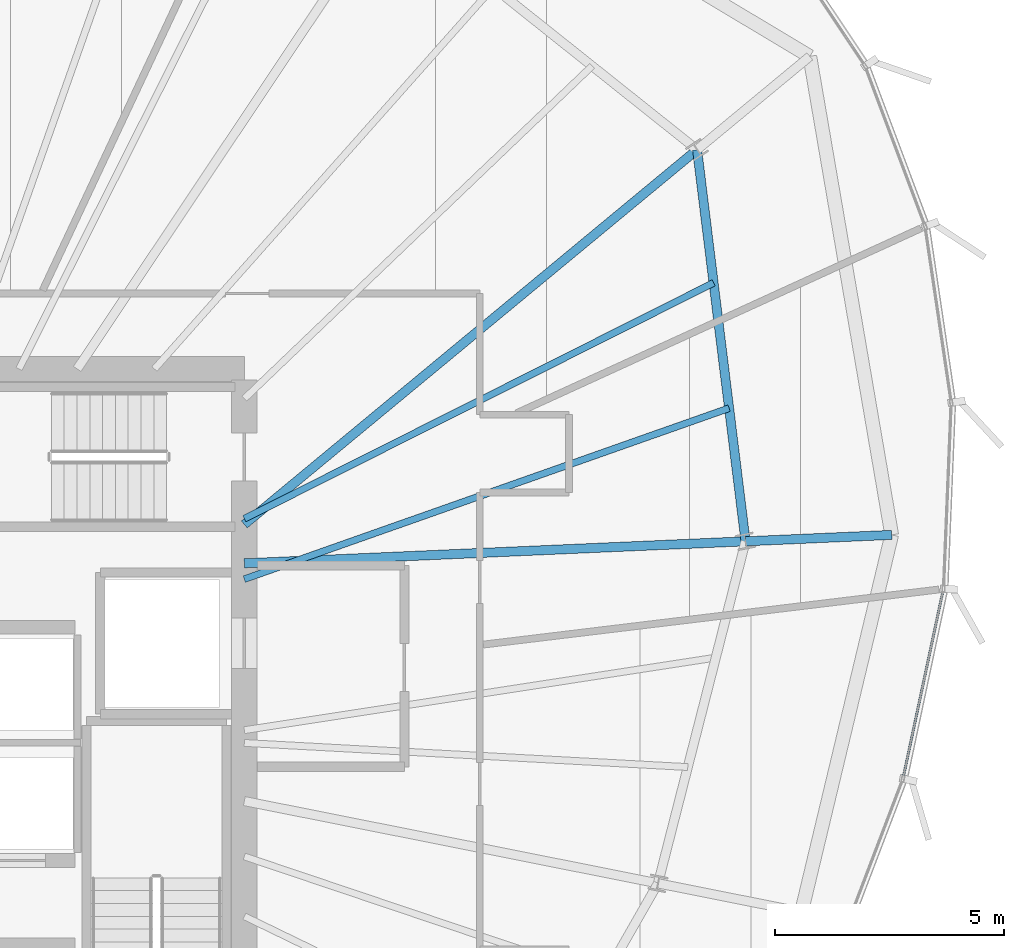
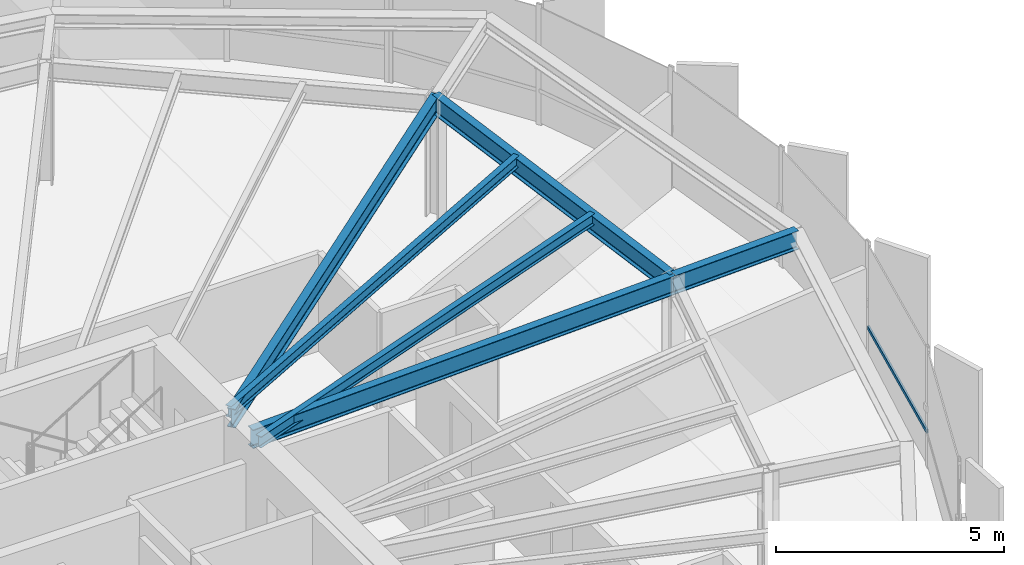
# One storey, part 19 of 36: 6 beams, 1 member, 1 element without a shape of its own.
"""IFC4 building model written with IfcOpenShell, lengths in metres."""

from ifc_helpers import new_model, si_unit, direction, frame, origin, origin_2d, place, context, subcontext, project, spatial, hollow_rectangle, i_section, extrude, source, transform, mapped, material, layer, layer_set, material_profile, profile_set, type_object, element, aggregate, save


model = new_model("IFC4")

# Units and contexts
model_context = context("Model", 3, precision=1e-05, world=origin(), true_north=direction((0.0, 1.0)))
body_context = subcontext(model_context, "Body", "Model", "MODEL_VIEW")
ifc_project = project(units=[si_unit("LENGTHUNIT", "METRE"), si_unit("AREAUNIT", "SQUARE_METRE"), si_unit("VOLUMEUNIT", "CUBIC_METRE"), si_unit("PLANEANGLEUNIT", "RADIAN"), si_unit("MASSUNIT", "GRAM", prefix="KILO"), si_unit("THERMODYNAMICTEMPERATUREUNIT", "KELVIN")], contexts=[model_context])

# Site, building, storey
site_placement = place(None, origin())
site = spatial("IfcSite", under=ifc_project, at=site_placement, CompositionType="ELEMENT")
building_placement = place(site_placement, origin())
building = spatial("IfcBuilding", under=site, at=building_placement, Name="Kethvar Cultural Tower", CompositionType="ELEMENT")
storey_placement = place(building_placement, frame((0.0, 0.0, 197.39990234375)))
storey = spatial("IfcBuildingStorey", under=building, at=storey_placement, Name="L51", CompositionType="ELEMENT", Elevation=197.39990234375)

# Beams
ifc_material_1 = material(Name="Steel S355J2", Category="steel")
ifc_material_profile_1 = material_profile(ifc_material_1, i_section(OverallWidth=0.199951171875, OverallDepth=0.5, WebThickness=0.01025390625, FlangeThickness=0.01611328125, FilletRadius=0.02099609375, at=origin_2d()), Name="Steel S355J2 — IPE500")
ifc_profile_set_1 = profile_set([ifc_material_profile_1], Name="Steel S355J2 — IPE500")
beam_type_1 = type_object("IfcBeamType", Name="BM-IPE500", PredefinedType="BEAM", material=ifc_profile_set_1)
shared_shape_1 = source(origin(), body_context, "Body", "SweptSolid", [
    extrude(i_section(OverallWidth=0.199951171875, OverallDepth=0.5, WebThickness=0.01025390625, FlangeThickness=0.01611328125, FilletRadius=0.02099609375, at=origin_2d()), origin(), (0.0, 0.0, 1.0), 10.974365234375),
])
beam_1_placement = place(storey_placement, frame((55.60009765625, 31.25, 3.008056640625), z_axis=(0.999038235064, 0.043847518511, 0.0), x_axis=(-0.043847518511, 0.999038235064, 0.0)))
element("IfcBeam", 1, at=beam_1_placement, inside=storey, type_object=beam_type_1, Name="L51 Primary Radial Beam RB-01", PredefinedType="BEAM", context=body_context, shape_type="MappedRepresentation", body=[
    mapped(shared_shape_1, transform((0.0, 0.0, 0.0), scale=1.0)),
])
shared_shape_2 = source(origin(), body_context, "Body", "SweptSolid", [
    extrude(i_section(OverallWidth=0.199951171875, OverallDepth=0.5, WebThickness=0.01025390625, FlangeThickness=0.01611328125, FilletRadius=0.02099609375, at=origin_2d()), origin(), (0.0, 0.0, 1.0), 3.2001953125),
])
beam_2_placement = place(storey_placement, frame((66.56396484375, 31.731201171875, 3.008056640625), z_axis=(0.999037352633, 0.043867619531, 0.0), x_axis=(-0.043867619531, 0.999037352633, 0.0)))
element("IfcBeam", 2, at=beam_2_placement, inside=storey, type_object=beam_type_1, Name="L51 Perimeter Cantilever Beam RC-01", PredefinedType="BEAM", context=body_context, shape_type="MappedRepresentation", body=[
    mapped(shared_shape_2, transform((0.0, 0.0, 0.0), scale=1.0)),
])
shared_shape_3 = source(origin(), body_context, "Body", "SweptSolid", [
    extrude(i_section(OverallWidth=0.199951171875, OverallDepth=0.5, WebThickness=0.01025390625, FlangeThickness=0.01611328125, FilletRadius=0.02099609375, at=origin_2d()), origin(), (0.0, 0.0, 1.0), 12.8564453125),
])
beam_3_placement = place(storey_placement, frame((55.60009765625, 32.10009765625, 3.008056640625), z_axis=(0.770354115625, 0.637616292561, 0.0), x_axis=(-0.637616292561, 0.770354115625, 0.0)))
element("IfcBeam", 3, at=beam_3_placement, inside=storey, type_object=beam_type_1, Name="L51 Primary Radial Beam RB-02", PredefinedType="BEAM", context=body_context, shape_type="MappedRepresentation", body=[
    mapped(shared_shape_3, transform((0.0, 0.0, 0.0), scale=1.0)),
])
shared_shape_4 = source(origin(), body_context, "Body", "SweptSolid", [
    extrude(i_section(OverallWidth=0.199951171875, OverallDepth=0.5, WebThickness=0.01025390625, FlangeThickness=0.01611328125, FilletRadius=0.02099609375, at=origin_2d()), origin(), (0.0, 0.0, 1.0), 8.6318359375),
])
beam_4_placement = place(storey_placement, frame((66.56396484375, 31.731201171875, 3.008056640625), z_axis=(-0.122781430908, 0.992433735936, 0.0), x_axis=(-0.992433735936, -0.122781430908, 0.0)))
element("IfcBeam", 4, at=beam_4_placement, inside=storey, type_object=beam_type_1, Name="L51 Column Ring Tie Beam CR-01", PredefinedType="BEAM", context=body_context, shape_type="MappedRepresentation", body=[
    mapped(shared_shape_4, transform((0.0, 0.0, 0.0), scale=1.0)),
])
ifc_material_profile_2 = material_profile(ifc_material_1, i_section(OverallWidth=0.14990234375, OverallDepth=0.300048828125, WebThickness=0.007080078125, FlangeThickness=0.0107421875, FilletRadius=0.014892578125, at=origin_2d()), Name="Steel S355J2 — IPE300")
ifc_profile_set_2 = profile_set([ifc_material_profile_2], Name="Steel S355J2 — IPE300")
beam_type_2 = type_object("IfcBeamType", Name="BM-J300", PredefinedType="JOIST", material=ifc_profile_set_2)
shared_shape_5 = source(origin(), body_context, "Body", "SweptSolid", [
    extrude(i_section(OverallWidth=0.14990234375, OverallDepth=0.300048828125, WebThickness=0.007080078125, FlangeThickness=0.0107421875, FilletRadius=0.014892578125, at=origin_2d()), origin(), (0.0, 0.0, 1.0), 11.24365234375),
])
beam_5_placement = place(storey_placement, frame((55.60009765625, 30.90380859375, 3.108154296875), z_axis=(0.943058059975, 0.332628164044, 0.0), x_axis=(-0.332628164044, 0.943058059975, 0.0)))
element("IfcBeam", 5, at=beam_5_placement, inside=storey, type_object=beam_type_2, Name="L51 Composite Floor Joist J-01A", PredefinedType="JOIST", context=body_context, shape_type="MappedRepresentation", body=[
    mapped(shared_shape_5, transform((0.0, 0.0, 0.0), scale=1.0)),
])
shared_shape_6 = source(origin(), body_context, "Body", "SweptSolid", [
    extrude(i_section(OverallWidth=0.14990234375, OverallDepth=0.300048828125, WebThickness=0.007080078125, FlangeThickness=0.0107421875, FilletRadius=0.014892578125, at=origin_2d()), origin(), (0.0, 0.0, 1.0), 11.48876953125),
])
beam_6_placement = place(storey_placement, frame((55.60009765625, 32.224365234375, 3.108154296875), z_axis=(0.893434724969, 0.449193045605, 0.0), x_axis=(-0.449193045605, 0.893434724969, 0.0)))
element("IfcBeam", 6, at=beam_6_placement, inside=storey, type_object=beam_type_2, Name="L51 Composite Floor Joist J-01B", PredefinedType="JOIST", context=body_context, shape_type="MappedRepresentation", body=[
    mapped(shared_shape_6, transform((0.0, 0.0, 0.0), scale=1.0)),
])

# Curtain wall, member
ifc_material_2 = material(Name="Aluminium 6063-T6", Category="aluminium")
ifc_layer = layer(ifc_material_2, 0.179931640625, Name="Aluminium 6063-T6", Category="aluminium")
ifc_layer_set = layer_set([ifc_layer], Name="Aluminium 6063-T6 (180 mm)")
curtain_wall_type = type_object("IfcCurtainWallType", Name="CW-SYS-04-Z34", PredefinedType="NOTDEFINED", material=ifc_layer_set)
curtain_wall_placement = place(storey_placement, origin())
curtain_wall = element("IfcCurtainWall", 7, at=curtain_wall_placement, inside=storey, type_object=curtain_wall_type, Name="L51 Curtain Wall Run 06", PredefinedType="NOTDEFINED")
ifc_material_profile_3 = material_profile(ifc_material_2, hollow_rectangle(XDim=0.050048828125, YDim=0.10009765625, WallThickness=0.00390625, at=origin_2d()), Name="Aluminium 6063-T6 — RHS100x50x4")
ifc_profile_set_3 = profile_set([ifc_material_profile_3], Name="Aluminium 6063-T6 — RHS100x50x4")
member_type = type_object("IfcMemberType", Name="CW-SYS-04-Z34-TRN", PredefinedType="USERDEFINED", material=ifc_profile_set_3)
shared_shape_7 = source(origin(), body_context, "Body", "SweptSolid", [
    extrude(hollow_rectangle(XDim=0.050048828125, YDim=0.10009765625, WallThickness=0.00390625, at=origin_2d()), origin(), (0.0, 0.0, 1.0), 4.175537109375),
])
member_placement = place(storey_placement, frame((70.01611328125, 26.581787109375, 0.9501953125), z_axis=(0.20826712144, 0.978071984123, 0.0), x_axis=(-0.978071984123, 0.20826712144, 0.0)))
member = element("IfcMember", 8, at=member_placement, type_object=member_type, Name="CW-L51-R06 Transom 2", ObjectType="TRANSOM", PredefinedType="USERDEFINED", context=body_context, shape_type="MappedRepresentation", body=[
    mapped(shared_shape_7, transform((0.0, 0.0, 0.0), scale=1.0)),
])
aggregate(curtain_wall, [member])

save(model, "model.ifc")
